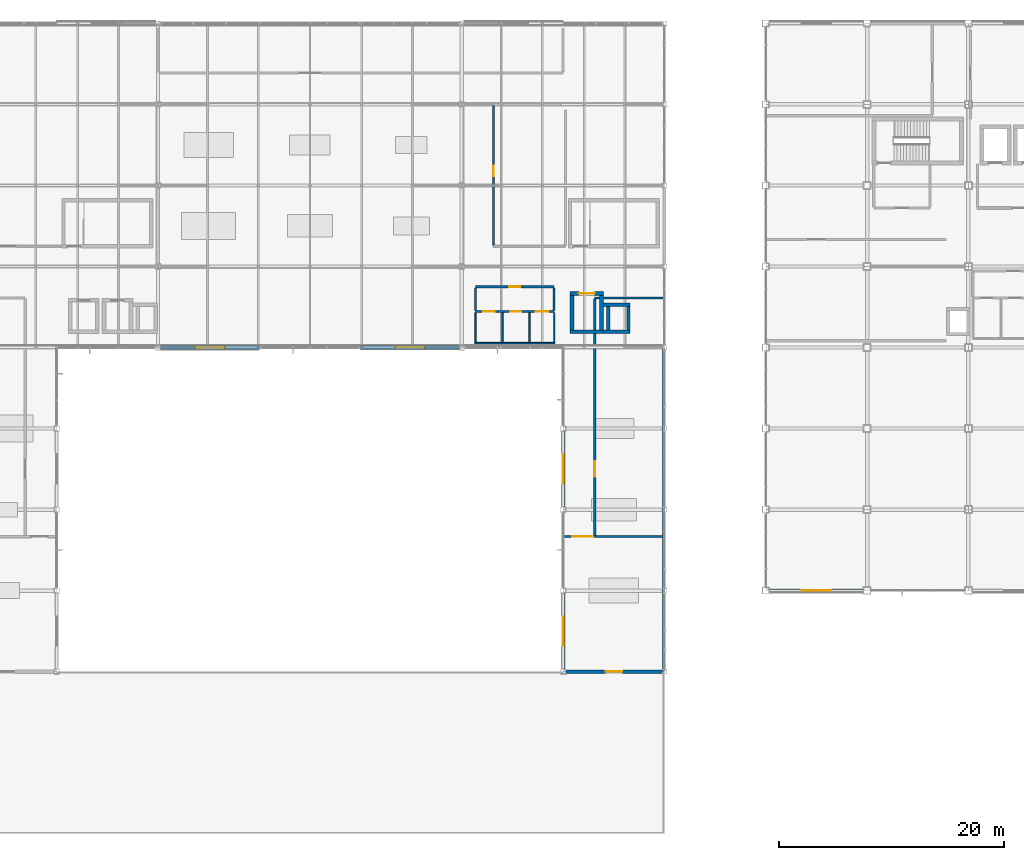
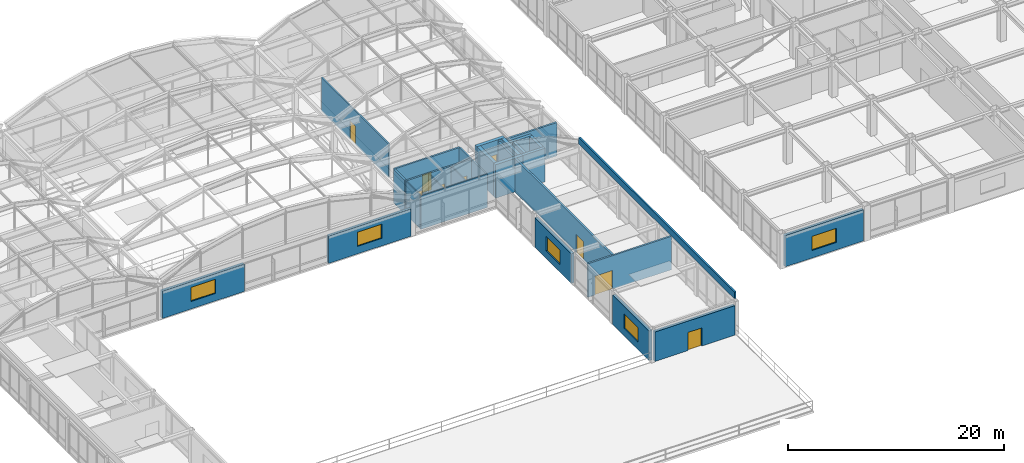
# One storey, part 86 of 106: 28 walls, 9 doors, 5 windows, 14 openings.
"""IFC4 building model written with IfcOpenShell, lengths in metres."""

from ifc_helpers import new_model, si_unit, direction, frame, frame_2d, origin, place, context, subcontext, project, spatial, rectangle, extrude, material, layer, layer_set, type_object, element, fill, save


model = new_model("IFC4")

# Units and contexts
model_context = context("Model", 3, precision=1e-05, world=origin(), true_north=direction((0.0, 1.0)))
body_context = subcontext(model_context, "Body", "Model", "MODEL_VIEW")
ifc_project = project(units=[si_unit("LENGTHUNIT", "METRE"), si_unit("AREAUNIT", "SQUARE_METRE"), si_unit("VOLUMEUNIT", "CUBIC_METRE"), si_unit("PLANEANGLEUNIT", "RADIAN"), si_unit("MASSUNIT", "GRAM", prefix="KILO")], contexts=[model_context])

# Site, building, storey
site_placement = place(None, origin())
site = spatial("IfcSite", under=ifc_project, at=site_placement, CompositionType="ELEMENT")
building_placement = place(site_placement, origin())
building = spatial("IfcBuilding", under=site, at=building_placement, Name="Kazanami Central Library", CompositionType="ELEMENT")
storey_placement = place(building_placement, frame((0.0, 0.0, 12.800048828125)))
storey = spatial("IfcBuildingStorey", under=building, at=storey_placement, Name="L04", CompositionType="ELEMENT", Elevation=12.800048828125)

# Wall, opening, window
ifc_material_1 = material(Name="Concrete Fc36 (36 MPa)", Category="concrete")
ifc_layer_1 = layer(ifc_material_1, 0.219970703125, Name="Concrete Fc36 (36 MPa)")
ifc_material_2 = material(Name="Extruded Polystyrene XPS", Category="earth")
ifc_layer_2 = layer(ifc_material_2, 0.050048828125, Name="Extruded Polystyrene XPS")
ifc_material_3 = material(Name="Honed Inada Granite", Category="masonry")
ifc_layer_3 = layer(ifc_material_3, 0.030029296875, Name="Honed Inada Granite")
ifc_layer_set_1 = layer_set([ifc_layer_1, ifc_layer_2, ifc_layer_3], Name="Concrete Fc36 (36 MPa)")
wall_type_1 = type_object("IfcWallType", Name="WAL-EW-300", PredefinedType="STANDARD", material=ifc_layer_set_1)
wall_1_placement = place(storey_placement, frame((99.0, 36.22509765625, 0.0), z_axis=(0.0, 0.0, 1.0), x_axis=(0.0, 1.0, 0.0)))
wall_1 = element("IfcWall", 1, at=wall_1_placement, inside=storey, type_object=wall_type_1, Name="Exterior Facade Wall EW-300 L04 W-12-05", PredefinedType="STANDARD", context=body_context, shape_type="SweptSolid", body=[
    extrude(rectangle(XDim=6.75, YDim=0.300048828125, at=frame_2d((3.375, 0.0))), origin(), (0.0, 0.0, 1.0), 3.329833984375),
])
opening_1_placement = place(wall_1_placement, frame((2.074951171875, 0.0, 0.85009765625)))
opening_1 = element("IfcOpeningElement", 2, at=opening_1_placement, cuts=wall_1, Name="Opening WN-13", PredefinedType="OPENING", context=body_context, shape_type="SweptSolid", body=[
    extrude(rectangle(XDim=2.60009765625, YDim=1.60009765625, at=frame_2d((1.300048828125, 0.800048828125))), frame((0.0, 0.162109375, 0.0), z_axis=(0.0, -1.0, 0.0), x_axis=(1.0, 0.0, 0.0)), (0.0, 0.0, 1.0), 0.323974609375),
])
ifc_material_4 = material(Name="Low-E Insulated Triple Glass", Category="glass")
window_type = type_object("IfcWindowType", Name="WIN-WN-13", PartitioningType="DOUBLE_PANEL_VERTICAL", PredefinedType="WINDOW", material=ifc_material_4)
window_1_placement = place(opening_1_placement, origin())
window_1 = element("IfcWindow", 3, at=window_1_placement, inside=storey, type_object=window_type, Name="Facade Window WN-13 L04 W-12-05", OverallHeight=1.60009765625, OverallWidth=2.60009765625, PartitioningType="DOUBLE_PANEL_VERTICAL", PredefinedType="WINDOW", context=body_context, shape_type="SweptSolid", body=[
    extrude(rectangle(XDim=2.60009765625, YDim=1.60009765625, at=frame_2d((1.300048828125, 0.800048828125))), frame((0.0, 0.030029296875, 0.0), z_axis=(0.0, -1.0, 0.0), x_axis=(1.0, 0.0, 0.0)), (0.0, 0.0, 1.0), 0.06005859375),
])
fill(opening_1, window_1)

wall_2_placement = place(storey_placement, frame((99.0, 50.625, 0.0), z_axis=(0.0, 0.0, 1.0), x_axis=(0.0, 1.0, 0.0)))
wall_2 = element("IfcWall", 4, at=wall_2_placement, inside=storey, type_object=wall_type_1, Name="Exterior Facade Wall EW-300 L04 W-12-07", PredefinedType="STANDARD", context=body_context, shape_type="SweptSolid", body=[
    extrude(rectangle(XDim=6.75, YDim=0.300048828125, at=frame_2d((3.375, 0.0))), origin(), (0.0, 0.0, 1.0), 3.329833984375),
])
opening_2_placement = place(wall_2_placement, frame((2.074951171875, 0.0, 0.85009765625)))
opening_2 = element("IfcOpeningElement", 5, at=opening_2_placement, cuts=wall_2, Name="Opening WN-13", PredefinedType="OPENING", context=body_context, shape_type="SweptSolid", body=[
    extrude(rectangle(XDim=2.60009765625, YDim=1.60009765625, at=frame_2d((1.300048828125, 0.800048828125))), frame((0.0, 0.162109375, 0.0), z_axis=(0.0, -1.0, 0.0), x_axis=(1.0, 0.0, 0.0)), (0.0, 0.0, 1.0), 0.323974609375),
])
window_2_placement = place(opening_2_placement, origin())
window_2 = element("IfcWindow", 6, at=window_2_placement, inside=storey, type_object=window_type, Name="Facade Window WN-13 L04 W-12-07", OverallHeight=1.60009765625, OverallWidth=2.60009765625, PartitioningType="DOUBLE_PANEL_VERTICAL", PredefinedType="WINDOW", context=body_context, shape_type="SweptSolid", body=[
    extrude(rectangle(XDim=2.60009765625, YDim=1.60009765625, at=frame_2d((1.300048828125, 0.800048828125))), frame((0.0, 0.030029296875, 0.0), z_axis=(0.0, -1.0, 0.0), x_axis=(1.0, 0.0, 0.0)), (0.0, 0.0, 1.0), 0.06005859375),
])
fill(opening_2, window_2)

# Wall, opening, door
ifc_layer_4 = layer(ifc_material_1, 0.239990234375, Name="Concrete Fc36 (36 MPa)")
ifc_layer_5 = layer(ifc_material_2, 0.050048828125, Name="Extruded Polystyrene XPS")
ifc_layer_6 = layer(ifc_material_3, 0.030029296875, Name="Honed Inada Granite")
ifc_layer_set_2 = layer_set([ifc_layer_4, ifc_layer_5, ifc_layer_6], Name="Concrete Fc36 (36 MPa)")
wall_type_2 = type_object("IfcWallType", Name="WAL-EW-320", PredefinedType="STANDARD", material=ifc_layer_set_2)
wall_3_placement = place(storey_placement, frame((99.22509765625, 36.0, 0.0), z_axis=(0.0, 0.0, 1.0), x_axis=(1.0, 0.0, 0.0)))
wall_3 = element("IfcWall", 7, at=wall_3_placement, inside=storey, type_object=wall_type_2, Name="Exterior Facade Wall EW-320 L04 S-F-11", PredefinedType="STANDARD", context=body_context, shape_type="SweptSolid", body=[
    extrude(rectangle(XDim=8.574951171875, YDim=0.320068359375, at=frame_2d((4.28759765625, 0.0))), origin(), (0.0, 0.0, 1.0), 3.329833984375),
])
opening_3_placement = place(wall_3_placement, frame((3.53759765625, 0.0, 0.0)))
opening_3 = element("IfcOpeningElement", 8, at=opening_3_placement, cuts=wall_3, Name="Opening ED-T4", PredefinedType="OPENING", context=body_context, shape_type="SweptSolid", body=[
    extrude(rectangle(XDim=1.5, YDim=2.050048828125, at=frame_2d((0.75, 1.02490234375))), frame((0.0, 0.171875, 0.0), z_axis=(0.0, -1.0, 0.0), x_axis=(1.0, 0.0, 0.0)), (0.0, 0.0, 1.0), 0.343994140625),
])
ifc_material_5 = material(Name="Anodised Aluminium A6063-T5", Category="aluminium")
door_type_1 = type_object("IfcDoorType", Name="DOR-ED-T4", OperationType="DOUBLE_DOOR_SINGLE_SWING", PredefinedType="DOOR", material=ifc_material_5)
door_1_placement = place(opening_3_placement, frame((1.5, 0.0, 0.0), z_axis=(0.0, 0.0, 1.0), x_axis=(-1.0, 0.0, 0.0)))
door_1 = element("IfcDoor", 9, at=door_1_placement, inside=storey, type_object=door_type_1, Name="Reading Terrace Access Door L04 S-F-11", OperationType="DOUBLE_DOOR_SINGLE_SWING", OverallHeight=2.050048828125, OverallWidth=1.5, PredefinedType="DOOR", context=body_context, shape_type="SweptSolid", body=[
    extrude(rectangle(XDim=1.5, YDim=2.050048828125, at=frame_2d((0.75, 1.02490234375))), frame((0.0, 0.02490234375, 0.0), z_axis=(0.0, -1.0, 0.0), x_axis=(1.0, 0.0, 0.0)), (0.0, 0.0, 1.0), 0.050048828125),
])
fill(opening_3, door_1)

# Wall, opening, window
wall_4_placement = place(storey_placement, frame((117.300048828125, 43.199951171875, 0.0), z_axis=(0.0, 0.0, 1.0), x_axis=(1.0, 0.0, 0.0)))
wall_4 = element("IfcWall", 10, at=wall_4_placement, inside=storey, type_object=wall_type_2, Name="Exterior Facade Wall EW-320 L04 S-G-13", PredefinedType="STANDARD", context=body_context, shape_type="SweptSolid", body=[
    extrude(rectangle(XDim=8.375, YDim=0.320068359375, at=frame_2d((4.1875, 0.0))), origin(), (0.0, 0.0, 1.0), 3.52490234375),
])
opening_4_placement = place(wall_4_placement, frame((2.887451171875, 0.0, 0.85009765625)))
opening_4 = element("IfcOpeningElement", 11, at=opening_4_placement, cuts=wall_4, Name="Opening WN-13", PredefinedType="OPENING", context=body_context, shape_type="SweptSolid", body=[
    extrude(rectangle(XDim=2.60009765625, YDim=1.60009765625, at=frame_2d((1.300048828125, 0.800048828125))), frame((0.0, 0.171875, 0.0), z_axis=(0.0, -1.0, 0.0), x_axis=(1.0, 0.0, 0.0)), (0.0, 0.0, 1.0), 0.343994140625),
])
window_3_placement = place(opening_4_placement, origin())
window_3 = element("IfcWindow", 12, at=window_3_placement, inside=storey, type_object=window_type, Name="Facade Window WN-13 L04 S-G-13", OverallHeight=1.60009765625, OverallWidth=2.60009765625, PartitioningType="DOUBLE_PANEL_VERTICAL", PredefinedType="WINDOW", context=body_context, shape_type="SweptSolid", body=[
    extrude(rectangle(XDim=2.60009765625, YDim=1.60009765625, at=frame_2d((1.300048828125, 0.800048828125))), frame((0.0, 0.030029296875, 0.0), z_axis=(0.0, -1.0, 0.0), x_axis=(1.0, 0.0, 0.0)), (0.0, 0.0, 1.0), 0.06005859375),
])
fill(opening_4, window_3)

wall_5_placement = place(storey_placement, frame((63.22509765625, 64.800048828125, 0.0), z_axis=(0.0, 0.0, 1.0), x_axis=(1.0, 0.0, 0.0)))
wall_5 = element("IfcWall", 13, at=wall_5_placement, inside=storey, type_object=wall_type_2, Name="Exterior Facade Wall EW-320 L04 S-K-07", PredefinedType="STANDARD", context=body_context, shape_type="SweptSolid", body=[
    extrude(rectangle(XDim=8.77490234375, YDim=0.320068359375, at=frame_2d((4.387451171875, 0.0))), origin(), (0.0, 0.0, 1.0), 3.079833984375),
])
opening_5_placement = place(wall_5_placement, frame((3.08740234375, 0.0, 0.85009765625)))
opening_5 = element("IfcOpeningElement", 14, at=opening_5_placement, cuts=wall_5, Name="Opening WN-13", PredefinedType="OPENING", context=body_context, shape_type="SweptSolid", body=[
    extrude(rectangle(XDim=2.60009765625, YDim=1.60009765625, at=frame_2d((1.300048828125, 0.800048828125))), frame((0.0, 0.171875, 0.0), z_axis=(0.0, -1.0, 0.0), x_axis=(1.0, 0.0, 0.0)), (0.0, 0.0, 1.0), 0.343994140625),
])
window_4_placement = place(opening_5_placement, origin())
window_4 = element("IfcWindow", 15, at=window_4_placement, inside=storey, type_object=window_type, Name="Facade Window WN-13 L04 S-K-07", OverallHeight=1.60009765625, OverallWidth=2.60009765625, PartitioningType="DOUBLE_PANEL_VERTICAL", PredefinedType="WINDOW", context=body_context, shape_type="SweptSolid", body=[
    extrude(rectangle(XDim=2.60009765625, YDim=1.60009765625, at=frame_2d((1.300048828125, 0.800048828125))), frame((0.0, 0.030029296875, 0.0), z_axis=(0.0, -1.0, 0.0), x_axis=(1.0, 0.0, 0.0)), (0.0, 0.0, 1.0), 0.06005859375),
])
fill(opening_5, window_4)

wall_6_placement = place(storey_placement, frame((81.0, 64.800048828125, 0.0), z_axis=(0.0, 0.0, 1.0), x_axis=(1.0, 0.0, 0.0)))
wall_6 = element("IfcWall", 16, at=wall_6_placement, inside=storey, type_object=wall_type_2, Name="Exterior Facade Wall EW-320 L04 S-K-09", PredefinedType="STANDARD", context=body_context, shape_type="SweptSolid", body=[
    extrude(rectangle(XDim=8.77490234375, YDim=0.320068359375, at=frame_2d((4.387451171875, 0.0))), origin(), (0.0, 0.0, 1.0), 3.079833984375),
])
opening_6_placement = place(wall_6_placement, frame((3.08740234375, 0.0, 0.85009765625)))
opening_6 = element("IfcOpeningElement", 17, at=opening_6_placement, cuts=wall_6, Name="Opening WN-13", PredefinedType="OPENING", context=body_context, shape_type="SweptSolid", body=[
    extrude(rectangle(XDim=2.60009765625, YDim=1.60009765625, at=frame_2d((1.300048828125, 0.800048828125))), frame((0.0, 0.171875, 0.0), z_axis=(0.0, -1.0, 0.0), x_axis=(1.0, 0.0, 0.0)), (0.0, 0.0, 1.0), 0.343994140625),
])
window_5_placement = place(opening_6_placement, origin())
window_5 = element("IfcWindow", 18, at=window_5_placement, inside=storey, type_object=window_type, Name="Facade Window WN-13 L04 S-K-09", OverallHeight=1.60009765625, OverallWidth=2.60009765625, PartitioningType="DOUBLE_PANEL_VERTICAL", PredefinedType="WINDOW", context=body_context, shape_type="SweptSolid", body=[
    extrude(rectangle(XDim=2.60009765625, YDim=1.60009765625, at=frame_2d((1.300048828125, 0.800048828125))), frame((0.0, 0.030029296875, 0.0), z_axis=(0.0, -1.0, 0.0), x_axis=(1.0, 0.0, 0.0)), (0.0, 0.0, 1.0), 0.06005859375),
])
fill(opening_6, window_5)

# Wall, openings, doors
ifc_material_6 = material(Name="Fire-Resistant Gypsum Board GB-F", Category="gypsum")
ifc_layer_7 = layer(ifc_material_6, 0.179931640625, Name="Fire-Resistant Gypsum Board GB-F")
ifc_layer_set_3 = layer_set([ifc_layer_7], Name="Fire-Resistant Gypsum Board GB-F")
wall_type_3 = type_object("IfcWallType", Name="WAL-FW-180", PredefinedType="PARTITIONING", material=ifc_layer_set_3)
wall_7_placement = place(storey_placement, frame((91.199951171875, 68.0, 0.0), z_axis=(0.0, 0.0, 1.0), x_axis=(1.0, 0.0, 0.0)))
wall_7 = element("IfcWall", 19, at=wall_7_placement, inside=storey, type_object=wall_type_3, Name="Interior Partition FW-180 L04 WC-V1-LOB (South)", PredefinedType="PARTITIONING", context=body_context, shape_type="SweptSolid", body=[
    extrude(rectangle(XDim=7.0, YDim=0.179931640625, at=frame_2d((3.5, 0.0))), origin(), (0.0, 0.0, 1.0), 3.780029296875),
])
opening_7_placement = place(wall_7_placement, frame((0.675048828125, 0.0, 0.0)))
opening_7 = element("IfcOpeningElement", 20, at=opening_7_placement, cuts=wall_7, Name="Opening FD30-1", PredefinedType="OPENING", context=body_context, shape_type="SweptSolid", body=[
    extrude(rectangle(XDim=1.050048828125, YDim=2.10009765625, at=frame_2d((0.52490234375, 1.050048828125))), frame((0.0, 0.10205078125, 0.0), z_axis=(0.0, -1.0, 0.0), x_axis=(1.0, 0.0, 0.0)), (0.0, 0.0, 1.0), 0.203857421875),
])
opening_8_placement = place(wall_7_placement, frame((3.110107421875, 0.0, 0.0)))
opening_8 = element("IfcOpeningElement", 21, at=opening_8_placement, cuts=wall_7, Name="Opening FD30-3", PredefinedType="OPENING", context=body_context, shape_type="SweptSolid", body=[
    extrude(rectangle(XDim=0.97998046875, YDim=2.02001953125, at=frame_2d((0.489990234375, 1.010009765625))), frame((0.0, 0.10205078125, 0.0), z_axis=(0.0, -1.0, 0.0), x_axis=(1.0, 0.0, 0.0)), (0.0, 0.0, 1.0), 0.203857421875),
])
opening_9_placement = place(wall_7_placement, frame((5.340087890625, 0.0, 0.0)))
opening_9 = element("IfcOpeningElement", 22, at=opening_9_placement, cuts=wall_7, Name="Opening FD30-8", PredefinedType="OPENING", context=body_context, shape_type="SweptSolid", body=[
    extrude(rectangle(XDim=1.1201171875, YDim=2.080078125, at=frame_2d((0.56005859375, 1.0400390625))), frame((0.0, 0.10205078125, 0.0), z_axis=(0.0, -1.0, 0.0), x_axis=(1.0, 0.0, 0.0)), (0.0, 0.0, 1.0), 0.203857421875),
])
ifc_material_7 = material(Name="Cold-Rolled Steel SPCC", Category="steel")
door_type_2 = type_object("IfcDoorType", Name="DOR-FD30-1", OperationType="NOTDEFINED", PredefinedType="DOOR", material=ifc_material_7)
door_2_placement = place(opening_7_placement, origin())
door_2 = element("IfcDoor", 23, at=door_2_placement, inside=storey, type_object=door_type_2, Name="Interior Door FD30-1 L04 WC-V1-M", OperationType="SINGLE_SWING_RIGHT", OverallHeight=2.10009765625, OverallWidth=1.050048828125, PredefinedType="DOOR", context=body_context, shape_type="SweptSolid", body=[
    extrude(rectangle(XDim=1.050048828125, YDim=2.10009765625, at=frame_2d((0.52490234375, 1.050048828125))), frame((0.0, 0.02490234375, 0.0), z_axis=(0.0, -1.0, 0.0), x_axis=(1.0, 0.0, 0.0)), (0.0, 0.0, 1.0), 0.050048828125),
])
fill(opening_7, door_2)
door_type_3 = type_object("IfcDoorType", Name="DOR-FD30-3", OperationType="NOTDEFINED", PredefinedType="DOOR", material=ifc_material_7)
door_3_placement = place(opening_8_placement, origin())
door_3 = element("IfcDoor", 24, at=door_3_placement, inside=storey, type_object=door_type_3, Name="Interior Door FD30-3 L04 WC-V1-F", OperationType="SINGLE_SWING_LEFT", OverallHeight=2.02001953125, OverallWidth=0.97998046875, PredefinedType="DOOR", context=body_context, shape_type="SweptSolid", body=[
    extrude(rectangle(XDim=0.97998046875, YDim=2.02001953125, at=frame_2d((0.489990234375, 1.010009765625))), frame((0.0, 0.02490234375, 0.0), z_axis=(0.0, -1.0, 0.0), x_axis=(1.0, 0.0, 0.0)), (0.0, 0.0, 1.0), 0.050048828125),
])
fill(opening_8, door_3)
door_type_4 = type_object("IfcDoorType", Name="DOR-FD30-8", OperationType="NOTDEFINED", PredefinedType="DOOR", material=ifc_material_7)
door_4_placement = place(opening_9_placement, origin())
door_4 = element("IfcDoor", 25, at=door_4_placement, inside=storey, type_object=door_type_4, Name="Interior Door FD30-8 L04 WC-V1-ACC", OperationType="SINGLE_SWING_RIGHT", OverallHeight=2.080078125, OverallWidth=1.1201171875, PredefinedType="DOOR", context=body_context, shape_type="SweptSolid", body=[
    extrude(rectangle(XDim=1.1201171875, YDim=2.080078125, at=frame_2d((0.56005859375, 1.0400390625))), frame((0.0, 0.02490234375, 0.0), z_axis=(0.0, -1.0, 0.0), x_axis=(1.0, 0.0, 0.0)), (0.0, 0.0, 1.0), 0.050048828125),
])
fill(opening_9, door_4)

# Wall, opening, door
wall_8_placement = place(storey_placement, frame((91.199951171875, 70.199951171875, 0.0), z_axis=(0.0, 0.0, 1.0), x_axis=(1.0, 0.0, 0.0)))
wall_8 = element("IfcWall", 26, at=wall_8_placement, inside=storey, type_object=wall_type_3, Name="Interior Partition FW-180 L04 WC-V1-LOB (North)", PredefinedType="PARTITIONING", context=body_context, shape_type="SweptSolid", body=[
    extrude(rectangle(XDim=7.0, YDim=0.179931640625, at=frame_2d((3.5, 0.0))), origin(), (0.0, 0.0, 1.0), 3.780029296875),
])
opening_10_placement = place(wall_8_placement, frame((3.010009765625, 0.0, 0.0)))
opening_10 = element("IfcOpeningElement", 27, at=opening_10_placement, cuts=wall_8, Name="Opening FD30-3", PredefinedType="OPENING", context=body_context, shape_type="SweptSolid", body=[
    extrude(rectangle(XDim=0.97998046875, YDim=2.02001953125, at=frame_2d((0.489990234375, 1.010009765625))), frame((0.0, 0.10205078125, 0.0), z_axis=(0.0, -1.0, 0.0), x_axis=(1.0, 0.0, 0.0)), (0.0, 0.0, 1.0), 0.203857421875),
])
door_5_placement = place(opening_10_placement, origin())
door_5 = element("IfcDoor", 28, at=door_5_placement, inside=storey, type_object=door_type_3, Name="Interior Door FD30-3 L04 WC-V1-LOB", OperationType="SINGLE_SWING_LEFT", OverallHeight=2.02001953125, OverallWidth=0.97998046875, PredefinedType="DOOR", context=body_context, shape_type="SweptSolid", body=[
    extrude(rectangle(XDim=0.97998046875, YDim=2.02001953125, at=frame_2d((0.489990234375, 1.010009765625))), frame((0.0, 0.02490234375, 0.0), z_axis=(0.0, -1.0, 0.0), x_axis=(1.0, 0.0, 0.0)), (0.0, 0.0, 1.0), 0.050048828125),
])
fill(opening_10, door_5)

# Walls
for number, where, z_axis, x_axis, name in (
    (29, (91.199951171875, 68.090087890625, 0.0), (0.0, 0.0, 1.0), (0.0, 1.0, 0.0), "Interior Partition FW-180 L04 WC-V1-LOB (West)"),
    (30, (98.199951171875, 68.090087890625, 0.0), (0.0, 0.0, 1.0), (0.0, 1.0, 0.0), "Interior Partition FW-180 L04 WC-V1-LOB (East)"),
):
    element("IfcWall", number, at=place(storey_placement, frame(where, z_axis=z_axis, x_axis=x_axis)), inside=storey, type_object=wall_type_3, Name=name, PredefinedType="PARTITIONING", context=body_context, shape_type="SweptSolid", body=[
        extrude(rectangle(XDim=2.02001953125, YDim=0.179931640625, at=frame_2d((1.010009765625, 0.0))), origin(), (0.0, 0.0, 1.0), 3.780029296875),
    ])

# Wall, opening, door
wall_9_placement = place(storey_placement, frame((99.034912109375, 48.0, 0.0), z_axis=(0.0, 0.0, 1.0), x_axis=(1.0, 0.0, 0.0)))
wall_9 = element("IfcWall", 31, at=wall_9_placement, inside=storey, type_object=wall_type_3, Name="Interior Partition FW-180 L04 RM-17 (North)", PredefinedType="PARTITIONING", context=body_context, shape_type="SweptSolid", body=[
    extrude(rectangle(XDim=8.93017578125, YDim=0.179931640625, at=frame_2d((4.465087890625, 0.0))), origin(), (0.0, 0.0, 1.0), 3.780029296875),
])
opening_11_placement = place(wall_9_placement, frame((0.764892578125, 0.0, 0.0)))
opening_11 = element("IfcOpeningElement", 32, at=opening_11_placement, cuts=wall_9, Name="Opening FD30-5", PredefinedType="OPENING", context=body_context, shape_type="SweptSolid", body=[
    extrude(rectangle(XDim=1.85009765625, YDim=2.1201171875, at=frame_2d((0.925048828125, 1.06005859375))), frame((0.0, 0.10205078125, 0.0), z_axis=(0.0, -1.0, 0.0), x_axis=(1.0, 0.0, 0.0)), (0.0, 0.0, 1.0), 0.203857421875),
])
door_type_5 = type_object("IfcDoorType", Name="DOR-FD30-5", OperationType="DOUBLE_DOOR_SINGLE_SWING", PredefinedType="DOOR", material=ifc_material_7)
door_6_placement = place(opening_11_placement, origin())
door_6 = element("IfcDoor", 33, at=door_6_placement, inside=storey, type_object=door_type_5, Name="Interior Door FD30-5 L04 RM-17", OperationType="DOUBLE_DOOR_SINGLE_SWING", OverallHeight=2.1201171875, OverallWidth=1.85009765625, PredefinedType="DOOR", context=body_context, shape_type="SweptSolid", body=[
    extrude(rectangle(XDim=1.85009765625, YDim=2.1201171875, at=frame_2d((0.925048828125, 1.06005859375))), frame((0.0, 0.02490234375, 0.0), z_axis=(0.0, -1.0, 0.0), x_axis=(1.0, 0.0, 0.0)), (0.0, 0.0, 1.0), 0.050048828125),
])
fill(opening_11, door_6)

# Wall
ifc_layer_8 = layer(ifc_material_6, 0.199951171875, Name="Fire-Resistant Gypsum Board GB-F")
ifc_layer_set_4 = layer_set([ifc_layer_8], Name="Fire-Resistant Gypsum Board GB-F")
wall_type_4 = type_object("IfcWallType", Name="WAL-FW-200", PredefinedType="PARTITIONING", material=ifc_layer_set_4)
wall_10_placement = place(storey_placement, frame((101.800048828125, 69.199951171875, 0.0), z_axis=(0.0, 0.0, 1.0), x_axis=(1.0, 0.0, 0.0)))
element("IfcWall", 34, at=wall_10_placement, inside=storey, type_object=wall_type_4, Name="Interior Partition FW-200 L04 RM-18 (North)", PredefinedType="PARTITIONING", context=body_context, shape_type="SweptSolid", body=[
    extrude(rectangle(XDim=6.1650390625, YDim=0.199951171875, at=frame_2d((3.08251953125, 0.0))), origin(), (0.0, 0.0, 1.0), 3.780029296875),
])

# Wall, opening, door
wall_11_placement = place(storey_placement, frame((101.800048828125, 48.090087890625, 0.0), z_axis=(0.0, 0.0, 1.0), x_axis=(0.0, 1.0, 0.0)))
wall_11 = element("IfcWall", 35, at=wall_11_placement, inside=storey, type_object=wall_type_4, Name="Interior Partition FW-200 L04 RM-18 (West)", PredefinedType="PARTITIONING", context=body_context, shape_type="SweptSolid", body=[
    extrude(rectangle(XDim=21.02001953125, YDim=0.199951171875, at=frame_2d((10.510009765625, 0.0))), origin(), (0.0, 0.0, 1.0), 3.780029296875),
])
opening_12_placement = place(wall_11_placement, frame((5.235107421875, 0.0, 0.0)))
opening_12 = element("IfcOpeningElement", 36, at=opening_12_placement, cuts=wall_11, Name="Opening FD60-7", PredefinedType="OPENING", context=body_context, shape_type="SweptSolid", body=[
    extrude(rectangle(XDim=1.35009765625, YDim=2.080078125, at=frame_2d((0.675048828125, 1.0400390625))), frame((0.0, 0.11181640625, 0.0), z_axis=(0.0, -1.0, 0.0), x_axis=(1.0, 0.0, 0.0)), (0.0, 0.0, 1.0), 0.223876953125),
])
door_type_6 = type_object("IfcDoorType", Name="DOR-FD60-7", OperationType="DOUBLE_DOOR_SINGLE_SWING", PredefinedType="DOOR", material=ifc_material_7)
door_7_placement = place(opening_12_placement, origin())
door_7 = element("IfcDoor", 37, at=door_7_placement, inside=storey, type_object=door_type_6, Name="Interior Door FD60-7 L04 RM-18", OperationType="DOUBLE_DOOR_SINGLE_SWING", OverallHeight=2.080078125, OverallWidth=1.35009765625, PredefinedType="DOOR", context=body_context, shape_type="SweptSolid", body=[
    extrude(rectangle(XDim=1.35009765625, YDim=2.080078125, at=frame_2d((0.675048828125, 1.0400390625))), frame((0.0, 0.02490234375, 0.0), z_axis=(0.0, -1.0, 0.0), x_axis=(1.0, 0.0, 0.0)), (0.0, 0.0, 1.0), 0.050048828125),
])
fill(opening_12, door_7)

# Walls
ifc_material_8 = material(Name="Gypsum Plasterboard GB-R", Category="gypsum")
ifc_layer_9 = layer(ifc_material_8, 0.125, Name="Gypsum Plasterboard GB-R")
ifc_layer_set_5 = layer_set([ifc_layer_9], Name="Gypsum Plasterboard GB-R")
wall_type_5 = type_object("IfcWallType", Name="WAL-PW-125", PredefinedType="PARTITIONING", material=ifc_layer_set_5)
wall_12_placement = place(storey_placement, frame((91.137451171875, 65.1923828125, 0.0), z_axis=(0.0, 0.0, 1.0), x_axis=(1.0, 0.0, 0.0)))
element("IfcWall", 38, at=wall_12_placement, inside=storey, type_object=wall_type_5, Name="Interior Partition PW-125 L04 WC-V1 (South)", PredefinedType="PARTITIONING", context=body_context, shape_type="SweptSolid", body=[
    extrude(rectangle(XDim=7.125, YDim=0.125, at=frame_2d((3.5625, 0.0))), origin(), (0.0, 0.0, 1.0), 3.780029296875),
])
for number, where, z_axis, x_axis, name in (
    (39, (91.199951171875, 65.2548828125, 0.0), (0.0, 0.0, 1.0), (0.0, 1.0, 0.0), "Interior Partition PW-125 L04 WC-V1-M (West)"),
    (40, (93.60009765625, 65.2548828125, 0.0), (0.0, 0.0, 1.0), (0.0, 1.0, 0.0), "Interior Partition PW-125 L04 WC-V1-M (East)"),
    (41, (96.0, 65.2548828125, 0.0), (0.0, 0.0, 1.0), (0.0, 1.0, 0.0), "Interior Partition PW-125 L04 WC-V1-F (East)"),
    (42, (98.199951171875, 65.2548828125, 0.0), (0.0, 0.0, 1.0), (0.0, 1.0, 0.0), "Interior Partition PW-125 L04 WC-V1-ACC (East)"),
):
    element("IfcWall", number, at=place(storey_placement, frame(where, z_axis=z_axis, x_axis=x_axis)), inside=storey, type_object=wall_type_5, Name=name, PredefinedType="PARTITIONING", context=body_context, shape_type="SweptSolid", body=[
        extrude(rectangle(XDim=2.655029296875, YDim=0.125, at=frame_2d((1.32763671875, 0.0))), origin(), (0.0, 0.0, 1.0), 3.780029296875),
    ])

# Wall, opening, door
ifc_layer_10 = layer(ifc_material_8, 0.14990234375, Name="Gypsum Plasterboard GB-R")
ifc_layer_set_6 = layer_set([ifc_layer_10], Name="Gypsum Plasterboard GB-R")
wall_type_6 = type_object("IfcWallType", Name="WAL-PW-150", PredefinedType="PARTITIONING", material=ifc_layer_set_6)
wall_13_placement = place(storey_placement, frame((92.800048828125, 73.889892578125, 0.0), z_axis=(0.0, 0.0, 1.0), x_axis=(0.0, 1.0, 0.0)))
wall_13 = element("IfcWall", 43, at=wall_13_placement, inside=storey, type_object=wall_type_6, Name="Interior Partition PW-150 L04 RM-20 (West)", PredefinedType="PARTITIONING", context=body_context, shape_type="SweptSolid", body=[
    extrude(rectangle(XDim=12.420166015625, YDim=0.14990234375, at=frame_2d((6.2099609375, 0.0))), origin(), (0.0, 0.0, 1.0), 3.780029296875),
])
opening_13_placement = place(wall_13_placement, frame((6.110107421875, 0.0, 0.0)))
opening_13 = element("IfcOpeningElement", 44, at=opening_13_placement, cuts=wall_13, Name="Opening ID-04", PredefinedType="OPENING", context=body_context, shape_type="SweptSolid", body=[
    extrude(rectangle(XDim=0.9599609375, YDim=2.10009765625, at=frame_2d((0.47998046875, 1.050048828125))), frame((0.0, 0.0869140625, 0.0), z_axis=(0.0, -1.0, 0.0), x_axis=(1.0, 0.0, 0.0)), (0.0, 0.0, 1.0), 0.173828125),
])
ifc_material_9 = material(Name="White Oak Hardwood", Category="wood")
door_type_7 = type_object("IfcDoorType", Name="DOR-ID-04", OperationType="NOTDEFINED", PredefinedType="DOOR", material=ifc_material_9)
door_8_placement = place(opening_13_placement, origin())
door_8 = element("IfcDoor", 45, at=door_8_placement, inside=storey, type_object=door_type_7, Name="Interior Door ID-04 L04 RM-20", OperationType="SINGLE_SWING_RIGHT", OverallHeight=2.10009765625, OverallWidth=0.9599609375, PredefinedType="DOOR", context=body_context, shape_type="SweptSolid", body=[
    extrude(rectangle(XDim=0.9599609375, YDim=2.10009765625, at=frame_2d((0.47998046875, 1.050048828125))), frame((0.0, 0.02490234375, 0.0), z_axis=(0.0, -1.0, 0.0), x_axis=(1.0, 0.0, 0.0)), (0.0, 0.0, 1.0), 0.050048828125),
])
fill(opening_13, door_8)

# Walls
ifc_layer_11 = layer(ifc_material_1, 0.18994140625, Name="Concrete Fc36 (36 MPa)")
ifc_layer_set_7 = layer_set([ifc_layer_11], Name="Concrete Fc36 (36 MPa)")
wall_type_7 = type_object("IfcWallType", Name="WAL-PW-190", PredefinedType="PARAPET", material=ifc_layer_set_7)
wall_14_placement = place(storey_placement, frame((107.905029296875, 36.0, 4.0), z_axis=(0.0, 0.0, 1.0), x_axis=(0.0, 1.0, 0.0)))
element("IfcWall", 46, at=wall_14_placement, inside=storey, type_object=wall_type_7, Name="Roof Eave Parapet V1E-E", PredefinedType="PARAPET", context=body_context, shape_type="SweptSolid", body=[
    extrude(rectangle(XDim=28.800048828125, YDim=0.18994140625, at=frame_2d((14.39990234375, 0.0))), origin(), (0.0, 0.0, 1.0), 0.75),
])
ifc_layer_12 = layer(ifc_material_1, 0.300048828125, Name="Concrete Fc36 (36 MPa)")
ifc_layer_set_8 = layer_set([ifc_layer_12], Name="Concrete Fc36 (36 MPa)")
wall_type_8 = type_object("IfcWallType", Name="WAL-SW-300", PredefinedType="SHEAR", material=ifc_layer_set_8)
for number, where, z_axis, x_axis, name in (
    (47, (102.574951171875, 66.199951171875, 0.0), (0.0, 0.0, 1.0), (1.0, 0.0, 0.0), "Service Riser Wall RSR-V1-B S L04"),
    (48, (102.574951171875, 68.60009765625, 0.0), (0.0, 0.0, 1.0), (1.0, 0.0, 0.0), "Service Riser Wall RSR-V1-B N L04"),
):
    element("IfcWall", number, at=place(storey_placement, frame(where, z_axis=z_axis, x_axis=x_axis)), inside=storey, type_object=wall_type_8, Name=name, PredefinedType="SHEAR", context=body_context, shape_type="SweptSolid", body=[
        extrude(rectangle(XDim=2.375, YDim=0.300048828125, at=frame_2d((1.1875, 0.0))), origin(), (0.0, 0.0, 1.0), 3.780029296875),
    ])
for number, where, z_axis, x_axis, name in (
    (49, (103.0, 66.35009765625, 0.0), (0.0, 0.0, 1.0), (0.0, 1.0, 0.0), "Service Riser Wall RSR-V1-B W L04"),
    (50, (104.800048828125, 66.35009765625, 0.0), (0.0, 0.0, 1.0), (0.0, 1.0, 0.0), "Service Riser Wall RSR-V1-B E L04"),
):
    element("IfcWall", number, at=place(storey_placement, frame(where, z_axis=z_axis, x_axis=x_axis)), inside=storey, type_object=wall_type_8, Name=name, PredefinedType="SHEAR", context=body_context, shape_type="SweptSolid", body=[
        extrude(rectangle(XDim=2.099853515625, YDim=0.300048828125, at=frame_2d((1.0498046875, 0.0))), origin(), (0.0, 0.0, 1.0), 3.780029296875),
    ])
ifc_layer_13 = layer(ifc_material_1, 0.35009765625, Name="Concrete Fc36 (36 MPa)")
ifc_layer_set_9 = layer_set([ifc_layer_13], Name="Concrete Fc36 (36 MPa)")
wall_type_9 = type_object("IfcWallType", Name="WAL-SW-350", PredefinedType="SHEAR", material=ifc_layer_set_9)
wall_15_placement = place(storey_placement, frame((99.625, 66.199951171875, 0.0), z_axis=(0.0, 0.0, 1.0), x_axis=(1.0, 0.0, 0.0)))
element("IfcWall", 51, at=wall_15_placement, inside=storey, type_object=wall_type_9, Name="Lift Shaft Wall EL-S2 South L04", PredefinedType="SHEAR", context=body_context, shape_type="SweptSolid", body=[
    extrude(rectangle(XDim=2.949951171875, YDim=0.35009765625, at=frame_2d((1.47509765625, 0.0))), origin(), (0.0, 0.0, 1.0), 3.780029296875),
])

# Wall, opening, door
wall_16_placement = place(storey_placement, frame((99.625, 69.60009765625, 0.0), z_axis=(0.0, 0.0, 1.0), x_axis=(1.0, 0.0, 0.0)))
wall_16 = element("IfcWall", 52, at=wall_16_placement, inside=storey, type_object=wall_type_9, Name="Lift Shaft Wall EL-S2 North L04", PredefinedType="SHEAR", context=body_context, shape_type="SweptSolid", body=[
    extrude(rectangle(XDim=2.949951171875, YDim=0.35009765625, at=frame_2d((1.47509765625, 0.0))), origin(), (0.0, 0.0, 1.0), 3.780029296875),
])
opening_14_placement = place(wall_16_placement, frame((0.77490234375, 0.0, 0.0)))
opening_14 = element("IfcOpeningElement", 53, at=opening_14_placement, cuts=wall_16, Name="Opening LD-03", PredefinedType="OPENING", context=body_context, shape_type="SweptSolid", body=[
    extrude(rectangle(XDim=1.39990234375, YDim=2.14990234375, at=frame_2d((0.699951171875, 1.074951171875))), frame((0.0, 0.18701171875, 0.0), z_axis=(0.0, -1.0, 0.0), x_axis=(1.0, 0.0, 0.0)), (0.0, 0.0, 1.0), 0.3740234375),
])
ifc_material_10 = material(Name="Stainless Steel SUS304", Category="steel")
door_type_8 = type_object("IfcDoorType", Name="DOR-LD-03", OperationType="SLIDING_TO_LEFT", PredefinedType="DOOR", material=ifc_material_10)
door_9_placement = place(opening_14_placement, origin())
door_9 = element("IfcDoor", 54, at=door_9_placement, inside=storey, type_object=door_type_8, Name="Lift Landing Sliding Door EL-S2 (L04)", OperationType="SLIDING_TO_RIGHT", OverallHeight=2.14990234375, OverallWidth=1.39990234375, PredefinedType="DOOR", context=body_context, shape_type="SweptSolid", body=[
    extrude(rectangle(XDim=1.39990234375, YDim=2.14990234375, at=frame_2d((0.699951171875, 1.074951171875))), frame((0.0, 0.02490234375, 0.0), z_axis=(0.0, -1.0, 0.0), x_axis=(1.0, 0.0, 0.0)), (0.0, 0.0, 1.0), 0.050048828125),
])
fill(opening_14, door_9)

# Walls
for number, where, z_axis, x_axis, name in (
    (55, (99.800048828125, 66.375, 0.0), (0.0, 0.0, 1.0), (0.0, 1.0, 0.0), "Lift Shaft Wall EL-S2 West L04"),
    (56, (102.39990234375, 66.375, 0.0), (0.0, 0.0, 1.0), (0.0, 1.0, 0.0), "Lift Shaft Wall EL-S2 East L04"),
):
    element("IfcWall", number, at=place(storey_placement, frame(where, z_axis=z_axis, x_axis=x_axis)), inside=storey, type_object=wall_type_9, Name=name, PredefinedType="SHEAR", context=body_context, shape_type="SweptSolid", body=[
        extrude(rectangle(XDim=3.050048828125, YDim=0.35009765625, at=frame_2d((1.52490234375, 0.0))), origin(), (0.0, 0.0, 1.0), 3.780029296875),
    ])

save(model, "model.ifc")
